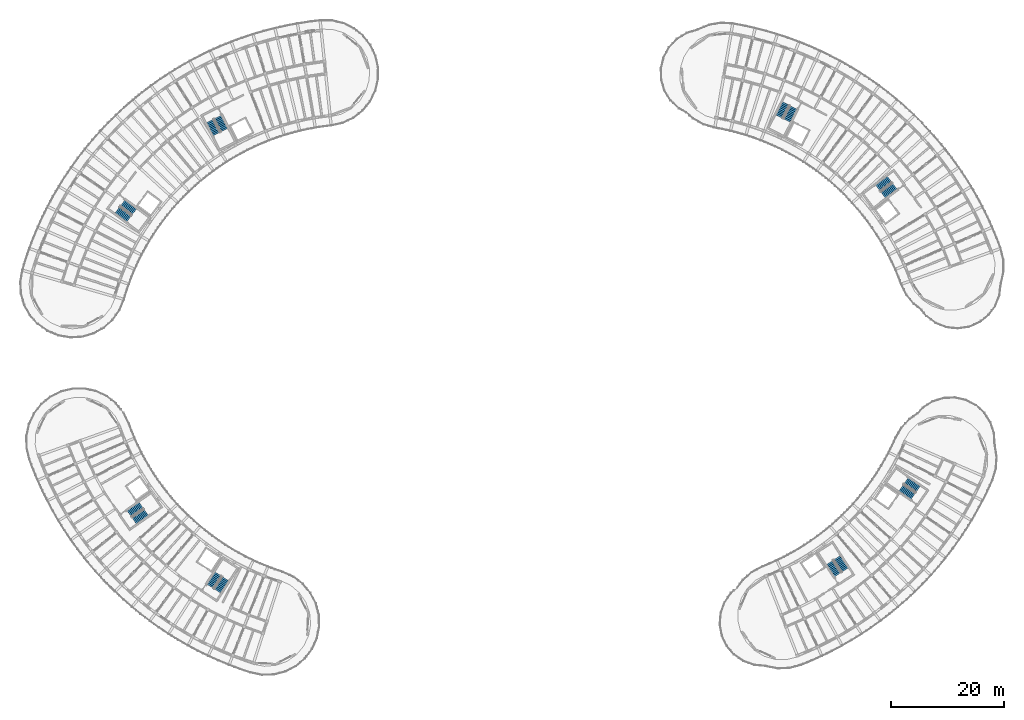
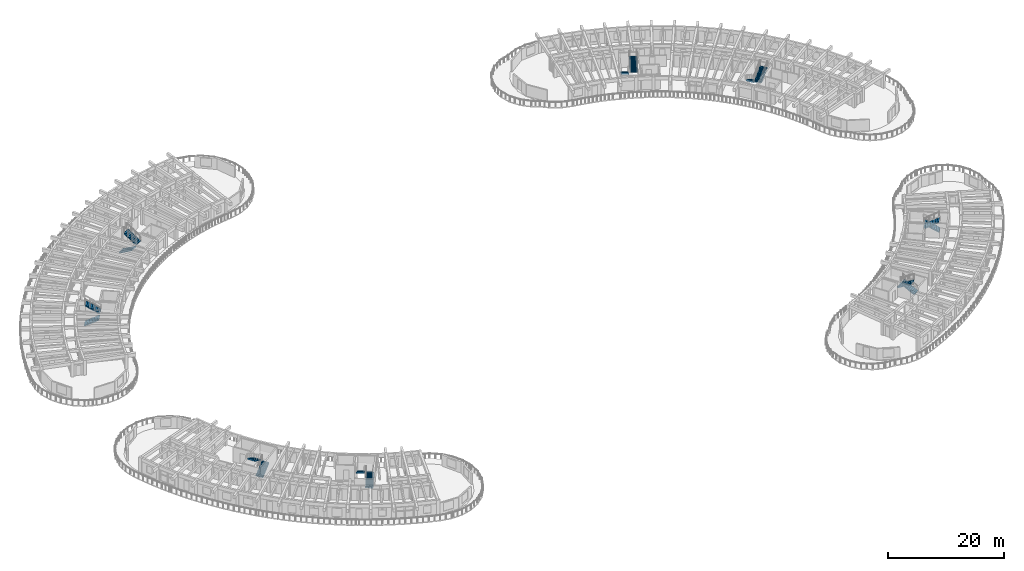
# One storey, part 59 of 83: 16 stair flights, 8 elements without a shape of their own.
"""IFC4 building model written with IfcOpenShell, lengths in metres."""

from ifc_helpers import new_model, si_unit, direction, frame, origin, place, context, subcontext, project, spatial, polyline, outline, extrude, material, layer, layer_set, type_object, element, aggregate, save


model = new_model("IFC4")

# Units and contexts
model_context = context("Model", 3, precision=1e-05, world=origin(), true_north=direction((0.0, 1.0)))
body_context = subcontext(model_context, "Body", "Model", "MODEL_VIEW")
ifc_project = project(units=[si_unit("LENGTHUNIT", "METRE"), si_unit("AREAUNIT", "SQUARE_METRE"), si_unit("VOLUMEUNIT", "CUBIC_METRE"), si_unit("PLANEANGLEUNIT", "RADIAN"), si_unit("MASSUNIT", "GRAM", prefix="KILO")], contexts=[model_context])

# Site, building, storey
site_placement = place(None, origin())
site = spatial("IfcSite", under=ifc_project, at=site_placement, CompositionType="ELEMENT")
building_placement = place(site_placement, origin())
building = spatial("IfcBuilding", under=site, at=building_placement, Name="Tanwirah Colonnade Gardens", CompositionType="ELEMENT")
storey_placement = place(building_placement, frame((0.0, 0.0, 25.639892578125)))
storey = spatial("IfcBuildingStorey", under=building, at=storey_placement, Name="L07", CompositionType="ELEMENT", Elevation=25.639892578125)

# Stair, stair flights
ifc_material = material(Name="Precast concrete C40/50", Category="concrete")
stair_type = type_object("IfcStairType", Name="ST-RES168", PredefinedType="HALF_TURN_STAIR", material=ifc_material)
stair_1_placement = place(storey_placement, origin())
stair_1 = element("IfcStair", 1, at=stair_1_placement, inside=storey, type_object=stair_type, Name="L07 Block A Core 1 Exit Stair", PredefinedType="HALF_TURN_STAIR")
ifc_layer = layer(ifc_material, 0.14990234375)
ifc_layer_set = layer_set([ifc_layer], Name="Precast concrete C40/50")
stair_flight_type = type_object("IfcStairFlightType", Name="FLT-RES150", PredefinedType="STRAIGHT", material=ifc_layer_set)
stair_flight_1_placement = place(storey_placement, frame((39.148681640625, 103.425048828125, 0.0), z_axis=(0.0, 0.0, 1.0), x_axis=(0.45399049974, -0.891006524188, 0.0)))
stair_flight_1 = element("IfcStairFlight", 2, at=stair_flight_1_placement, type_object=stair_flight_type, Name="ST-A1 flight 1", NumberOfRisers=10, NumberOfTreads=9, PredefinedType="STRAIGHT", RiserHeight=0.168, TreadLength=0.285, context=body_context, shape_type="SweptSolid", body=[
    extrude(outline(polyline([(-0.0048828125, 0.0), (0.0, 0.16796875), (0.284912109375, 0.16796875), (0.284912109375, 0.3359375), (0.570068359375, 0.3359375), (0.570068359375, 0.50390625), (0.85498046875, 0.50390625), (0.85498046875, 0.672119140625), (1.139892578125, 0.672119140625), (1.139892578125, 0.840087890625), (1.425048828125, 0.840087890625), (1.425048828125, 1.008056640625), (1.7099609375, 1.008056640625), (1.7099609375, 1.176025390625), (1.9951171875, 1.176025390625), (1.9951171875, 1.343994140625), (2.280029296875, 1.343994140625), (2.280029296875, 1.511962890625), (2.56494140625, 1.511962890625), (2.570068359375, 1.679931640625), (2.570068359375, 1.337890625), (0.30029296875, 0.0), (-0.0048828125, 0.0)])), frame((0.0, 0.68994140625, 0.0), z_axis=(0.0, -1.0, 0.0), x_axis=(1.0, 0.0, 0.0)), (0.0, 0.0, 1.0), 1.3798828125),
])
stair_flight_2_placement = place(storey_placement, frame((41.685302734375, 101.838623046875, 1.68017578125), z_axis=(0.0, 0.0, 1.0), x_axis=(-0.45399049974, 0.891006524188, 0.0)))
stair_flight_2 = element("IfcStairFlight", 3, at=stair_flight_2_placement, type_object=stair_flight_type, Name="ST-A1 flight 2", NumberOfRisers=10, NumberOfTreads=9, PredefinedType="STRAIGHT", RiserHeight=0.168, TreadLength=0.285, context=body_context, shape_type="SweptSolid", body=[
    extrude(outline(polyline([(-0.0048828125, 0.0), (0.0, 0.16796875), (0.284912109375, 0.16796875), (0.284912109375, 0.3359375), (0.570068359375, 0.3359375), (0.570068359375, 0.50390625), (0.85498046875, 0.50390625), (0.85498046875, 0.672119140625), (1.139892578125, 0.672119140625), (1.139892578125, 0.840087890625), (1.425048828125, 0.840087890625), (1.425048828125, 1.008056640625), (1.7099609375, 1.008056640625), (1.7099609375, 1.176025390625), (1.9951171875, 1.176025390625), (1.9951171875, 1.343994140625), (2.280029296875, 1.343994140625), (2.280029296875, 1.511962890625), (2.56494140625, 1.511962890625), (2.570068359375, 1.679931640625), (2.570068359375, 1.337890625), (0.30029296875, 0.0), (-0.0048828125, 0.0)])), frame((0.0, 0.68994140625, 0.0), z_axis=(0.0, -1.0, 0.0), x_axis=(1.0, 0.0, 0.0)), (0.0, 0.0, 1.0), 1.3798828125),
])
aggregate(stair_1, [stair_flight_1, stair_flight_2])

stair_2_placement = place(storey_placement, origin())
stair_2 = element("IfcStair", 4, at=stair_2_placement, inside=storey, type_object=stair_type, Name="L07 Block A Core 2 Exit Stair", PredefinedType="HALF_TURN_STAIR")
stair_flight_3_placement = place(storey_placement, frame((22.81640625, 87.7177734375, 0.0), z_axis=(0.0, 0.0, 1.0), x_axis=(0.798635510047, -0.601815023152, 0.0)))
stair_flight_3 = element("IfcStairFlight", 5, at=stair_flight_3_placement, type_object=stair_flight_type, Name="ST-A2 flight 1", NumberOfRisers=10, NumberOfTreads=9, PredefinedType="STRAIGHT", RiserHeight=0.168, TreadLength=0.285, context=body_context, shape_type="SweptSolid", body=[
    extrude(outline(polyline([(-0.0048828125, 0.0), (0.0, 0.16796875), (0.284912109375, 0.16796875), (0.284912109375, 0.3359375), (0.570068359375, 0.3359375), (0.570068359375, 0.50390625), (0.85498046875, 0.50390625), (0.85498046875, 0.672119140625), (1.139892578125, 0.672119140625), (1.139892578125, 0.840087890625), (1.425048828125, 0.840087890625), (1.425048828125, 1.008056640625), (1.7099609375, 1.008056640625), (1.7099609375, 1.176025390625), (1.9951171875, 1.176025390625), (1.9951171875, 1.343994140625), (2.280029296875, 1.343994140625), (2.280029296875, 1.511962890625), (2.56494140625, 1.511962890625), (2.570068359375, 1.679931640625), (2.570068359375, 1.337890625), (0.30029296875, 0.0), (-0.0048828125, 0.0)])), frame((0.0, 0.68994140625, 0.0), z_axis=(0.0, -1.0, 0.0), x_axis=(1.0, 0.0, 0.0)), (0.0, 0.0, 1.0), 1.3798828125),
])
stair_flight_4_placement = place(storey_placement, frame((25.791748046875, 87.404052734375, 1.68017578125), z_axis=(0.0, 0.0, 1.0), x_axis=(-0.798635510047, 0.601815023152, 0.0)))
stair_flight_4 = element("IfcStairFlight", 6, at=stair_flight_4_placement, type_object=stair_flight_type, Name="ST-A2 flight 2", NumberOfRisers=10, NumberOfTreads=9, PredefinedType="STRAIGHT", RiserHeight=0.168, TreadLength=0.285, context=body_context, shape_type="SweptSolid", body=[
    extrude(outline(polyline([(-0.0048828125, 0.0), (0.0, 0.16796875), (0.284912109375, 0.16796875), (0.284912109375, 0.3359375), (0.570068359375, 0.3359375), (0.570068359375, 0.50390625), (0.85498046875, 0.50390625), (0.85498046875, 0.672119140625), (1.139892578125, 0.672119140625), (1.139892578125, 0.840087890625), (1.425048828125, 0.840087890625), (1.425048828125, 1.008056640625), (1.7099609375, 1.008056640625), (1.7099609375, 1.176025390625), (1.9951171875, 1.176025390625), (1.9951171875, 1.343994140625), (2.280029296875, 1.343994140625), (2.280029296875, 1.511962890625), (2.56494140625, 1.511962890625), (2.570068359375, 1.679931640625), (2.570068359375, 1.337890625), (0.30029296875, 0.0), (-0.0048828125, 0.0)])), frame((0.0, 0.68994140625, 0.0), z_axis=(0.0, -1.0, 0.0), x_axis=(1.0, 0.0, 0.0)), (0.0, 0.0, 1.0), 1.3798828125),
])
aggregate(stair_2, [stair_flight_3, stair_flight_4])

stair_3_placement = place(storey_placement, origin())
stair_3 = element("IfcStair", 7, at=stair_3_placement, inside=storey, type_object=stair_type, Name="L07 Block B Core 1 Exit Stair", PredefinedType="HALF_TURN_STAIR")
stair_flight_5_placement = place(storey_placement, frame((159.079345703125, 93.16455078125, 0.0), z_axis=(0.0, 0.0, 1.0), x_axis=(-0.798635510047, -0.601815023152, 0.0)))
stair_flight_5 = element("IfcStairFlight", 8, at=stair_flight_5_placement, type_object=stair_flight_type, Name="ST-B1 flight 1", NumberOfRisers=10, NumberOfTreads=9, PredefinedType="STRAIGHT", RiserHeight=0.168, TreadLength=0.285, context=body_context, shape_type="SweptSolid", body=[
    extrude(outline(polyline([(-0.0048828125, 0.0), (0.0, 0.16796875), (0.284912109375, 0.16796875), (0.284912109375, 0.3359375), (0.570068359375, 0.3359375), (0.570068359375, 0.50390625), (0.85498046875, 0.50390625), (0.85498046875, 0.672119140625), (1.139892578125, 0.672119140625), (1.139892578125, 0.840087890625), (1.425048828125, 0.840087890625), (1.425048828125, 1.008056640625), (1.7099609375, 1.008056640625), (1.7099609375, 1.176025390625), (1.9951171875, 1.176025390625), (1.9951171875, 1.343994140625), (2.280029296875, 1.343994140625), (2.280029296875, 1.511962890625), (2.56494140625, 1.511962890625), (2.570068359375, 1.679931640625), (2.570068359375, 1.337890625), (0.30029296875, 0.0), (-0.0048828125, 0.0)])), frame((0.0, 0.68994140625, 0.0), z_axis=(0.0, -1.0, 0.0), x_axis=(1.0, 0.0, 0.0)), (0.0, 0.0, 1.0), 1.3798828125),
])
stair_flight_6_placement = place(storey_placement, frame((157.95751953125, 90.39111328125, 1.68017578125), z_axis=(0.0, 0.0, 1.0), x_axis=(0.798635510047, 0.601815023152, 0.0)))
stair_flight_6 = element("IfcStairFlight", 9, at=stair_flight_6_placement, type_object=stair_flight_type, Name="ST-B1 flight 2", NumberOfRisers=10, NumberOfTreads=9, PredefinedType="STRAIGHT", RiserHeight=0.168, TreadLength=0.285, context=body_context, shape_type="SweptSolid", body=[
    extrude(outline(polyline([(-0.0048828125, 0.0), (0.0, 0.16796875), (0.284912109375, 0.16796875), (0.284912109375, 0.3359375), (0.570068359375, 0.3359375), (0.570068359375, 0.50390625), (0.85498046875, 0.50390625), (0.85498046875, 0.672119140625), (1.139892578125, 0.672119140625), (1.139892578125, 0.840087890625), (1.425048828125, 0.840087890625), (1.425048828125, 1.008056640625), (1.7099609375, 1.008056640625), (1.7099609375, 1.176025390625), (1.9951171875, 1.176025390625), (1.9951171875, 1.343994140625), (2.280029296875, 1.343994140625), (2.280029296875, 1.511962890625), (2.56494140625, 1.511962890625), (2.570068359375, 1.679931640625), (2.570068359375, 1.337890625), (0.30029296875, 0.0), (-0.0048828125, 0.0)])), frame((0.0, 0.68994140625, 0.0), z_axis=(0.0, -1.0, 0.0), x_axis=(1.0, 0.0, 0.0)), (0.0, 0.0, 1.0), 1.3798828125),
])
aggregate(stair_3, [stair_flight_5, stair_flight_6])

stair_4_placement = place(storey_placement, origin())
stair_4 = element("IfcStair", 10, at=stair_4_placement, inside=storey, type_object=stair_type, Name="L07 Block B Core 2 Exit Stair", PredefinedType="HALF_TURN_STAIR")
stair_flight_7_placement = place(storey_placement, frame((140.774658203125, 106.521240234375, 0.0), z_axis=(0.0, 0.0, 1.0), x_axis=(-0.45399049974, -0.891006524188, 0.0)))
stair_flight_7 = element("IfcStairFlight", 11, at=stair_flight_7_placement, type_object=stair_flight_type, Name="ST-B2 flight 1", NumberOfRisers=10, NumberOfTreads=9, PredefinedType="STRAIGHT", RiserHeight=0.168, TreadLength=0.285, context=body_context, shape_type="SweptSolid", body=[
    extrude(outline(polyline([(-0.0048828125, 0.0), (0.0, 0.16796875), (0.284912109375, 0.16796875), (0.284912109375, 0.3359375), (0.570068359375, 0.3359375), (0.570068359375, 0.50390625), (0.85498046875, 0.50390625), (0.85498046875, 0.672119140625), (1.139892578125, 0.672119140625), (1.139892578125, 0.840087890625), (1.425048828125, 0.840087890625), (1.425048828125, 1.008056640625), (1.7099609375, 1.008056640625), (1.7099609375, 1.176025390625), (1.9951171875, 1.176025390625), (1.9951171875, 1.343994140625), (2.280029296875, 1.343994140625), (2.280029296875, 1.511962890625), (2.56494140625, 1.511962890625), (2.570068359375, 1.679931640625), (2.570068359375, 1.337890625), (0.30029296875, 0.0), (-0.0048828125, 0.0)])), frame((0.0, 0.68994140625, 0.0), z_axis=(0.0, -1.0, 0.0), x_axis=(1.0, 0.0, 0.0)), (0.0, 0.0, 1.0), 1.3798828125),
])
stair_flight_8_placement = place(storey_placement, frame((140.982421875, 103.53662109375, 1.68017578125), z_axis=(0.0, 0.0, 1.0), x_axis=(0.45399049974, 0.891006524188, 0.0)))
stair_flight_8 = element("IfcStairFlight", 12, at=stair_flight_8_placement, type_object=stair_flight_type, Name="ST-B2 flight 2", NumberOfRisers=10, NumberOfTreads=9, PredefinedType="STRAIGHT", RiserHeight=0.168, TreadLength=0.285, context=body_context, shape_type="SweptSolid", body=[
    extrude(outline(polyline([(-0.0048828125, 0.0), (0.0, 0.16796875), (0.284912109375, 0.16796875), (0.284912109375, 0.3359375), (0.570068359375, 0.3359375), (0.570068359375, 0.50390625), (0.85498046875, 0.50390625), (0.85498046875, 0.672119140625), (1.139892578125, 0.672119140625), (1.139892578125, 0.840087890625), (1.425048828125, 0.840087890625), (1.425048828125, 1.008056640625), (1.7099609375, 1.008056640625), (1.7099609375, 1.176025390625), (1.9951171875, 1.176025390625), (1.9951171875, 1.343994140625), (2.280029296875, 1.343994140625), (2.280029296875, 1.511962890625), (2.56494140625, 1.511962890625), (2.570068359375, 1.679931640625), (2.570068359375, 1.337890625), (0.30029296875, 0.0), (-0.0048828125, 0.0)])), frame((0.0, 0.68994140625, 0.0), z_axis=(0.0, -1.0, 0.0), x_axis=(1.0, 0.0, 0.0)), (0.0, 0.0, 1.0), 1.3798828125),
])
aggregate(stair_4, [stair_flight_7, stair_flight_8])

stair_5_placement = place(storey_placement, origin())
stair_5 = element("IfcStair", 13, at=stair_5_placement, inside=storey, type_object=stair_type, Name="L07 Block C Core 1 Exit Stair", PredefinedType="HALF_TURN_STAIR")
stair_flight_9_placement = place(storey_placement, frame((25.79345703125, 32.884521484375, 0.0), z_axis=(0.0, 0.0, 1.0), x_axis=(0.819152044289, 0.573576436351, 0.0)))
stair_flight_9 = element("IfcStairFlight", 14, at=stair_flight_9_placement, type_object=stair_flight_type, Name="ST-C1 flight 1", NumberOfRisers=10, NumberOfTreads=9, PredefinedType="STRAIGHT", RiserHeight=0.168, TreadLength=0.285, context=body_context, shape_type="SweptSolid", body=[
    extrude(outline(polyline([(-0.0048828125, 0.0), (0.0, 0.16796875), (0.284912109375, 0.16796875), (0.284912109375, 0.3359375), (0.570068359375, 0.3359375), (0.570068359375, 0.50390625), (0.85498046875, 0.50390625), (0.85498046875, 0.672119140625), (1.139892578125, 0.672119140625), (1.139892578125, 0.840087890625), (1.425048828125, 0.840087890625), (1.425048828125, 1.008056640625), (1.7099609375, 1.008056640625), (1.7099609375, 1.176025390625), (1.9951171875, 1.176025390625), (1.9951171875, 1.343994140625), (2.280029296875, 1.343994140625), (2.280029296875, 1.511962890625), (2.56494140625, 1.511962890625), (2.570068359375, 1.679931640625), (2.570068359375, 1.337890625), (0.30029296875, 0.0), (-0.0048828125, 0.0)])), frame((0.0, 0.68994140625, 0.0), z_axis=(0.0, -1.0, 0.0), x_axis=(1.0, 0.0, 0.0)), (0.0, 0.0, 1.0), 1.3798828125),
])
stair_flight_10_placement = place(storey_placement, frame((27.01123046875, 35.6171875, 1.68017578125), z_axis=(0.0, 0.0, 1.0), x_axis=(-0.819152044289, -0.573576436351, 0.0)))
stair_flight_10 = element("IfcStairFlight", 15, at=stair_flight_10_placement, type_object=stair_flight_type, Name="ST-C1 flight 2", NumberOfRisers=10, NumberOfTreads=9, PredefinedType="STRAIGHT", RiserHeight=0.168, TreadLength=0.285, context=body_context, shape_type="SweptSolid", body=[
    extrude(outline(polyline([(-0.0048828125, 0.0), (0.0, 0.16796875), (0.284912109375, 0.16796875), (0.284912109375, 0.3359375), (0.570068359375, 0.3359375), (0.570068359375, 0.50390625), (0.85498046875, 0.50390625), (0.85498046875, 0.672119140625), (1.139892578125, 0.672119140625), (1.139892578125, 0.840087890625), (1.425048828125, 0.840087890625), (1.425048828125, 1.008056640625), (1.7099609375, 1.008056640625), (1.7099609375, 1.176025390625), (1.9951171875, 1.176025390625), (1.9951171875, 1.343994140625), (2.280029296875, 1.343994140625), (2.280029296875, 1.511962890625), (2.56494140625, 1.511962890625), (2.570068359375, 1.679931640625), (2.570068359375, 1.337890625), (0.30029296875, 0.0), (-0.0048828125, 0.0)])), frame((0.0, 0.68994140625, 0.0), z_axis=(0.0, -1.0, 0.0), x_axis=(1.0, 0.0, 0.0)), (0.0, 0.0, 1.0), 1.3798828125),
])
aggregate(stair_5, [stair_flight_9, stair_flight_10])

stair_6_placement = place(storey_placement, origin())
stair_6 = element("IfcStair", 16, at=stair_6_placement, inside=storey, type_object=stair_type, Name="L07 Block C Core 2 Exit Stair", PredefinedType="HALF_TURN_STAIR")
stair_flight_11_placement = place(storey_placement, frame((40.49169921875, 20.49951171875, 0.0), z_axis=(0.0, 0.0, 1.0), x_axis=(0.544639035015, 0.838670567945, 0.0)))
stair_flight_11 = element("IfcStairFlight", 17, at=stair_flight_11_placement, type_object=stair_flight_type, Name="ST-C2 flight 1", NumberOfRisers=10, NumberOfTreads=9, PredefinedType="STRAIGHT", RiserHeight=0.168, TreadLength=0.285, context=body_context, shape_type="SweptSolid", body=[
    extrude(outline(polyline([(-0.0048828125, 0.0), (0.0, 0.16796875), (0.284912109375, 0.16796875), (0.284912109375, 0.3359375), (0.570068359375, 0.3359375), (0.570068359375, 0.50390625), (0.85498046875, 0.50390625), (0.85498046875, 0.672119140625), (1.139892578125, 0.672119140625), (1.139892578125, 0.840087890625), (1.425048828125, 0.840087890625), (1.425048828125, 1.008056640625), (1.7099609375, 1.008056640625), (1.7099609375, 1.176025390625), (1.9951171875, 1.176025390625), (1.9951171875, 1.343994140625), (2.280029296875, 1.343994140625), (2.280029296875, 1.511962890625), (2.56494140625, 1.511962890625), (2.570068359375, 1.679931640625), (2.570068359375, 1.337890625), (0.30029296875, 0.0), (-0.0048828125, 0.0)])), frame((0.0, 0.68994140625, 0.0), z_axis=(0.0, -1.0, 0.0), x_axis=(1.0, 0.0, 0.0)), (0.0, 0.0, 1.0), 1.3798828125),
])
stair_flight_12_placement = place(storey_placement, frame((40.59716796875, 23.489501953125, 1.68017578125), z_axis=(0.0, 0.0, 1.0), x_axis=(-0.544639035015, -0.838670567945, 0.0)))
stair_flight_12 = element("IfcStairFlight", 18, at=stair_flight_12_placement, type_object=stair_flight_type, Name="ST-C2 flight 2", NumberOfRisers=10, NumberOfTreads=9, PredefinedType="STRAIGHT", RiserHeight=0.168, TreadLength=0.285, context=body_context, shape_type="SweptSolid", body=[
    extrude(outline(polyline([(-0.0048828125, 0.0), (0.0, 0.16796875), (0.284912109375, 0.16796875), (0.284912109375, 0.3359375), (0.570068359375, 0.3359375), (0.570068359375, 0.50390625), (0.85498046875, 0.50390625), (0.85498046875, 0.672119140625), (1.139892578125, 0.672119140625), (1.139892578125, 0.840087890625), (1.425048828125, 0.840087890625), (1.425048828125, 1.008056640625), (1.7099609375, 1.008056640625), (1.7099609375, 1.176025390625), (1.9951171875, 1.176025390625), (1.9951171875, 1.343994140625), (2.280029296875, 1.343994140625), (2.280029296875, 1.511962890625), (2.56494140625, 1.511962890625), (2.570068359375, 1.679931640625), (2.570068359375, 1.337890625), (0.30029296875, 0.0), (-0.0048828125, 0.0)])), frame((0.0, 0.68994140625, 0.0), z_axis=(0.0, -1.0, 0.0), x_axis=(1.0, 0.0, 0.0)), (0.0, 0.0, 1.0), 1.3798828125),
])
aggregate(stair_6, [stair_flight_11, stair_flight_12])

stair_7_placement = place(storey_placement, origin())
stair_7 = element("IfcStair", 19, at=stair_7_placement, inside=storey, type_object=stair_type, Name="L07 Block D Core 1 Exit Stair", PredefinedType="HALF_TURN_STAIR")
stair_flight_13_placement = place(storey_placement, frame((151.22802734375, 24.214111328125, 0.0), z_axis=(0.0, 0.0, 1.0), x_axis=(-0.544639035015, 0.838670567945, 0.0)))
stair_flight_13 = element("IfcStairFlight", 20, at=stair_flight_13_placement, type_object=stair_flight_type, Name="ST-D1 flight 1", NumberOfRisers=10, NumberOfTreads=9, PredefinedType="STRAIGHT", RiserHeight=0.168, TreadLength=0.285, context=body_context, shape_type="SweptSolid", body=[
    extrude(outline(polyline([(-0.0048828125, 0.0), (0.0, 0.16796875), (0.284912109375, 0.16796875), (0.284912109375, 0.3359375), (0.570068359375, 0.3359375), (0.570068359375, 0.50390625), (0.85498046875, 0.50390625), (0.85498046875, 0.672119140625), (1.139892578125, 0.672119140625), (1.139892578125, 0.840087890625), (1.425048828125, 0.840087890625), (1.425048828125, 1.008056640625), (1.7099609375, 1.008056640625), (1.7099609375, 1.176025390625), (1.9951171875, 1.176025390625), (1.9951171875, 1.343994140625), (2.280029296875, 1.343994140625), (2.280029296875, 1.511962890625), (2.56494140625, 1.511962890625), (2.570068359375, 1.679931640625), (2.570068359375, 1.337890625), (0.30029296875, 0.0), (-0.0048828125, 0.0)])), frame((0.0, 0.68994140625, 0.0), z_axis=(0.0, -1.0, 0.0), x_axis=(1.0, 0.0, 0.0)), (0.0, 0.0, 1.0), 1.3798828125),
])
stair_flight_14_placement = place(storey_placement, frame((148.539306640625, 25.5263671875, 1.68017578125), z_axis=(0.0, 0.0, 1.0), x_axis=(0.544639035015, -0.838670567945, 0.0)))
stair_flight_14 = element("IfcStairFlight", 21, at=stair_flight_14_placement, type_object=stair_flight_type, Name="ST-D1 flight 2", NumberOfRisers=10, NumberOfTreads=9, PredefinedType="STRAIGHT", RiserHeight=0.168, TreadLength=0.285, context=body_context, shape_type="SweptSolid", body=[
    extrude(outline(polyline([(-0.0048828125, 0.0), (0.0, 0.16796875), (0.284912109375, 0.16796875), (0.284912109375, 0.3359375), (0.570068359375, 0.3359375), (0.570068359375, 0.50390625), (0.85498046875, 0.50390625), (0.85498046875, 0.672119140625), (1.139892578125, 0.672119140625), (1.139892578125, 0.840087890625), (1.425048828125, 0.840087890625), (1.425048828125, 1.008056640625), (1.7099609375, 1.008056640625), (1.7099609375, 1.176025390625), (1.9951171875, 1.176025390625), (1.9951171875, 1.343994140625), (2.280029296875, 1.343994140625), (2.280029296875, 1.511962890625), (2.56494140625, 1.511962890625), (2.570068359375, 1.679931640625), (2.570068359375, 1.337890625), (0.30029296875, 0.0), (-0.0048828125, 0.0)])), frame((0.0, 0.68994140625, 0.0), z_axis=(0.0, -1.0, 0.0), x_axis=(1.0, 0.0, 0.0)), (0.0, 0.0, 1.0), 1.3798828125),
])
aggregate(stair_7, [stair_flight_13, stair_flight_14])

stair_8_placement = place(storey_placement, origin())
stair_8 = element("IfcStair", 22, at=stair_8_placement, inside=storey, type_object=stair_type, Name="L07 Block D Core 2 Exit Stair", PredefinedType="HALF_TURN_STAIR")
stair_flight_15_placement = place(storey_placement, frame((164.1181640625, 38.47119140625, 0.0), z_axis=(0.0, 0.0, 1.0), x_axis=(-0.819152044289, 0.573576436351, 0.0)))
stair_flight_15 = element("IfcStairFlight", 23, at=stair_flight_15_placement, type_object=stair_flight_type, Name="ST-D2 flight 1", NumberOfRisers=10, NumberOfTreads=9, PredefinedType="STRAIGHT", RiserHeight=0.168, TreadLength=0.285, context=body_context, shape_type="SweptSolid", body=[
    extrude(outline(polyline([(-0.0048828125, 0.0), (0.0, 0.16796875), (0.284912109375, 0.16796875), (0.284912109375, 0.3359375), (0.570068359375, 0.3359375), (0.570068359375, 0.50390625), (0.85498046875, 0.50390625), (0.85498046875, 0.672119140625), (1.139892578125, 0.672119140625), (1.139892578125, 0.840087890625), (1.425048828125, 0.840087890625), (1.425048828125, 1.008056640625), (1.7099609375, 1.008056640625), (1.7099609375, 1.176025390625), (1.9951171875, 1.176025390625), (1.9951171875, 1.343994140625), (2.280029296875, 1.343994140625), (2.280029296875, 1.511962890625), (2.56494140625, 1.511962890625), (2.570068359375, 1.679931640625), (2.570068359375, 1.337890625), (0.30029296875, 0.0), (-0.0048828125, 0.0)])), frame((0.0, 0.68994140625, 0.0), z_axis=(0.0, -1.0, 0.0), x_axis=(1.0, 0.0, 0.0)), (0.0, 0.0, 1.0), 1.3798828125),
])
stair_flight_16_placement = place(storey_placement, frame((161.1337890625, 38.680908203125, 1.68017578125), z_axis=(0.0, 0.0, 1.0), x_axis=(0.819152044289, -0.573576436351, 0.0)))
stair_flight_16 = element("IfcStairFlight", 24, at=stair_flight_16_placement, type_object=stair_flight_type, Name="ST-D2 flight 2", NumberOfRisers=10, NumberOfTreads=9, PredefinedType="STRAIGHT", RiserHeight=0.168, TreadLength=0.285, context=body_context, shape_type="SweptSolid", body=[
    extrude(outline(polyline([(-0.0048828125, 0.0), (0.0, 0.16796875), (0.284912109375, 0.16796875), (0.284912109375, 0.3359375), (0.570068359375, 0.3359375), (0.570068359375, 0.50390625), (0.85498046875, 0.50390625), (0.85498046875, 0.672119140625), (1.139892578125, 0.672119140625), (1.139892578125, 0.840087890625), (1.425048828125, 0.840087890625), (1.425048828125, 1.008056640625), (1.7099609375, 1.008056640625), (1.7099609375, 1.176025390625), (1.9951171875, 1.176025390625), (1.9951171875, 1.343994140625), (2.280029296875, 1.343994140625), (2.280029296875, 1.511962890625), (2.56494140625, 1.511962890625), (2.570068359375, 1.679931640625), (2.570068359375, 1.337890625), (0.30029296875, 0.0), (-0.0048828125, 0.0)])), frame((0.0, 0.68994140625, 0.0), z_axis=(0.0, -1.0, 0.0), x_axis=(1.0, 0.0, 0.0)), (0.0, 0.0, 1.0), 1.3798828125),
])
aggregate(stair_8, [stair_flight_15, stair_flight_16])

save(model, "model.ifc")
